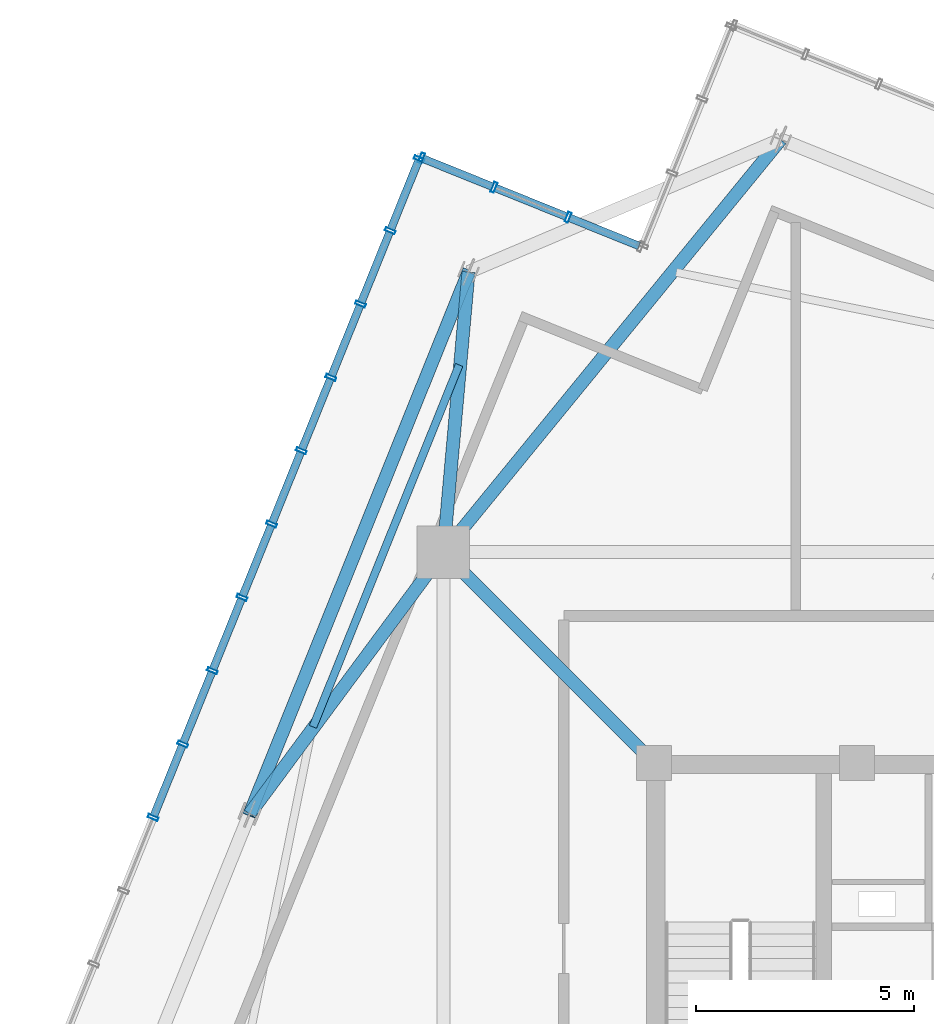
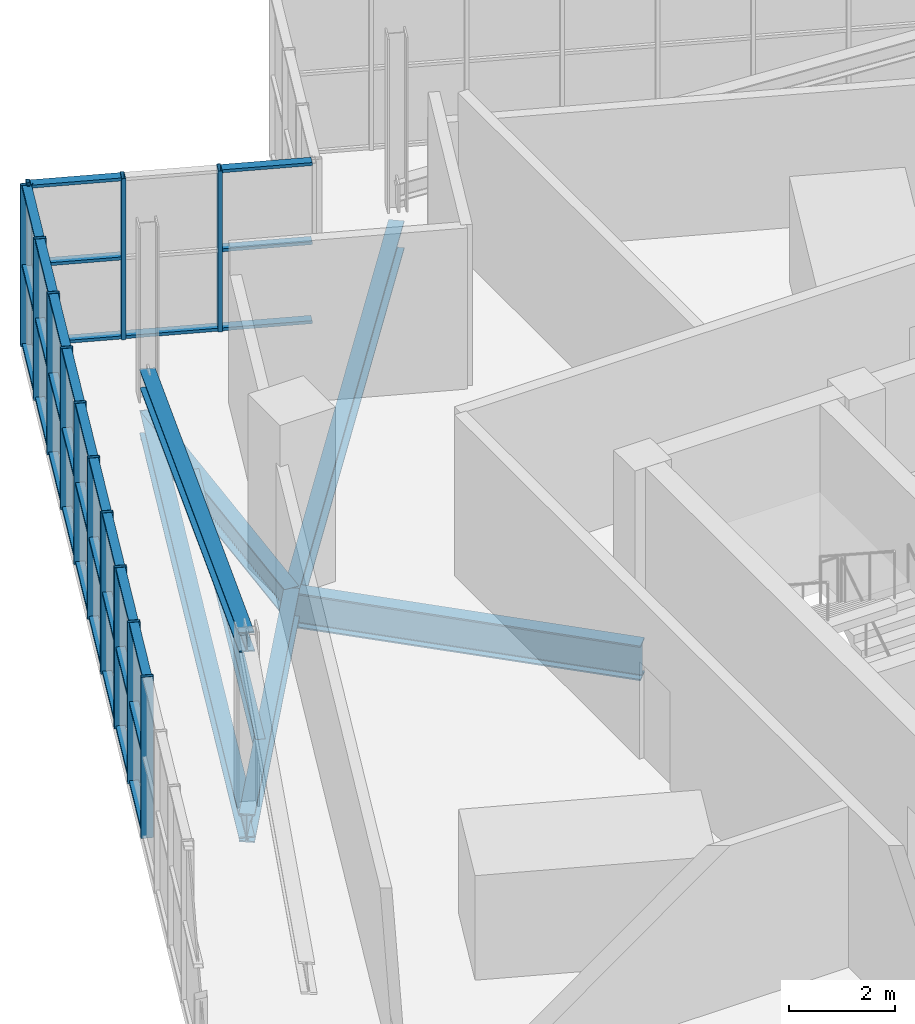
# One storey, part 12 of 26: 48 members, 6 beams, 2 elements without a shape of their own.
"""IFC4 building model written with IfcOpenShell, lengths in metres."""

from ifc_helpers import new_model, si_unit, direction, frame, origin, origin_2d, place, context, subcontext, project, spatial, hollow_rectangle, i_section, extrude, source, transform, mapped, material, layer, layer_set, material_profile, profile_set, type_object, element, aggregate, save


model = new_model("IFC4")

# Units and contexts
model_context = context("Model", 3, precision=1e-05, world=origin(), true_north=direction((0.0, 1.0)))
body_context = subcontext(model_context, "Body", "Model", "MODEL_VIEW")
ifc_project = project(units=[si_unit("LENGTHUNIT", "METRE"), si_unit("AREAUNIT", "SQUARE_METRE"), si_unit("VOLUMEUNIT", "CUBIC_METRE"), si_unit("PLANEANGLEUNIT", "RADIAN"), si_unit("MASSUNIT", "GRAM", prefix="KILO"), si_unit("THERMODYNAMICTEMPERATUREUNIT", "KELVIN")], contexts=[model_context])

# Site, building, storey
site_placement = place(None, origin())
site = spatial("IfcSite", under=ifc_project, at=site_placement, CompositionType="ELEMENT")
building_placement = place(site_placement, origin())
building = spatial("IfcBuilding", under=site, at=building_placement, Name="Kosmvard Interchange Tower", CompositionType="ELEMENT")
storey_placement = place(building_placement, frame((0.0, 0.0, 329.60009765625)))
storey = spatial("IfcBuildingStorey", under=building, at=storey_placement, Name="L81", CompositionType="ELEMENT", Elevation=329.60009765625)

# Beam
ifc_material_1 = material(Name="Steel S355", Category="steel")
ifc_material_profile_1 = material_profile(ifc_material_1, i_section(OverallWidth=0.300048828125, OverallDepth=0.800048828125, WebThickness=0.017578125, FlangeThickness=0.032958984375, FilletRadius=0.027099609375, at=origin_2d()), Name="HEB 800")
ifc_profile_set_1 = profile_set([ifc_material_profile_1], Name="Steel S355")
beam_type_1 = type_object("IfcBeamType", Name="Primary Mega-Frame Girder HEB 800 S355", PredefinedType="BEAM", material=ifc_profile_set_1)
shared_shape_1 = source(origin(), body_context, "Body", "SweptSolid", [
    extrude(i_section(OverallWidth=0.300048828125, OverallDepth=0.800048828125, WebThickness=0.017578125, FlangeThickness=0.032958984375, FilletRadius=0.027099609375, at=origin_2d()), origin(), (0.0, 0.0, 1.0), 6.83203125),
])
beam_1_placement = place(storey_placement, frame((-8.25, 8.25, -0.7001953125), z_axis=(-0.707106781187, 0.707106781187, 0.0), x_axis=(-0.707106781187, -0.707106781187, 0.0)))
element("IfcBeam", 1, at=beam_1_placement, inside=storey, type_object=beam_type_1, Name="L81 Radial Mega-Frame Girder 4", PredefinedType="BEAM", context=body_context, shape_type="MappedRepresentation", body=[
    mapped(shared_shape_1, transform((0.0, 0.0, 0.0), scale=1.0)),
])

# Member
ifc_material_profile_2 = material_profile(ifc_material_1, i_section(OverallWidth=0.300048828125, OverallDepth=0.39990234375, WebThickness=0.013427734375, FlangeThickness=0.02392578125, FilletRadius=0.027099609375, at=origin_2d()), Name="HEB 400")
ifc_profile_set_2 = profile_set([ifc_material_profile_2], Name="Steel S355")
member_type_1 = type_object("IfcMemberType", Name="Lantern Crown Diagrid Brace HEB 400 S355", PredefinedType="BRACE", material=ifc_profile_set_2)
shared_shape_2 = source(origin(), body_context, "Body", "SweptSolid", [
    extrude(i_section(OverallWidth=0.300048828125, OverallDepth=0.39990234375, WebThickness=0.013427734375, FlangeThickness=0.02392578125, FilletRadius=0.027099609375, at=origin_2d()), origin(), (0.0, 0.0, 1.0), 13.78369140625),
])
member_1_placement = place(storey_placement, frame((-12.504150390625, 19.50439453125, 0.419921875), z_axis=(-0.364162635972, -0.901373372792, 0.234332279859), x_axis=(0.927189515839, -0.374592580972, 0.0)))
element("IfcMember", 2, at=member_1_placement, inside=storey, type_object=member_type_1, Name="L81 Crown Lantern Diagrid Brace N1", PredefinedType="BRACE", context=body_context, shape_type="MappedRepresentation", body=[
    mapped(shared_shape_2, transform((0.0, 0.0, 0.0), scale=1.0)),
])

# Beams
ifc_material_profile_3 = material_profile(ifc_material_1, i_section(OverallWidth=0.300048828125, OverallDepth=0.550048828125, WebThickness=0.014892578125, FlangeThickness=0.029052734375, FilletRadius=0.027099609375, at=origin_2d()), Name="HEB 550")
ifc_profile_set_3 = profile_set([ifc_material_profile_3], Name="Steel S355")
beam_type_2 = type_object("IfcBeamType", Name="Crown Ring Cap Girder HEB 550 S355", PredefinedType="BEAM", material=ifc_profile_set_3)
shared_shape_3 = source(origin(), body_context, "Body", "SweptSolid", [
    extrude(i_section(OverallWidth=0.300048828125, OverallDepth=0.550048828125, WebThickness=0.014892578125, FlangeThickness=0.029052734375, FilletRadius=0.027099609375, at=origin_2d()), origin(), (0.0, 0.0, 1.0), 13.39990234375),
])
beam_2_placement = place(storey_placement, frame((-12.504150390625, 19.50439453125, -0.5751953125), z_axis=(-0.374592580972, -0.927189515839, 0.0), x_axis=(0.927189515839, -0.374592580972, 0.0)))
element("IfcBeam", 3, at=beam_2_placement, inside=storey, type_object=beam_type_2, Name="BM-L81-PR07", PredefinedType="BEAM", context=body_context, shape_type="MappedRepresentation", body=[
    mapped(shared_shape_3, transform((0.0, 0.0, 0.0), scale=1.0)),
])
ifc_material_profile_4 = material_profile(ifc_material_1, i_section(OverallWidth=0.300048828125, OverallDepth=0.64990234375, WebThickness=0.01611328125, FlangeThickness=0.031005859375, FilletRadius=0.027099609375, at=origin_2d()), Name="HEB 650")
ifc_profile_set_4 = profile_set([ifc_material_profile_4], Name="Steel S355")
beam_type_3 = type_object("IfcBeamType", Name="Primary Floor Girder HEB 650 S355", PredefinedType="BEAM", material=ifc_profile_set_4)
shared_shape_4 = source(origin(), body_context, "Body", "SweptSolid", [
    extrude(i_section(OverallWidth=0.300048828125, OverallDepth=0.64990234375, WebThickness=0.01611328125, FlangeThickness=0.031005859375, FilletRadius=0.027099609375, at=origin_2d()), origin(), (0.0, 0.0, 1.0), 6.44921875),
])
beam_3_placement = place(storey_placement, frame((-13.0810546875, 13.0810546875, -0.625), z_axis=(0.089453694068, 0.995990982197, 0.0), x_axis=(-0.995990982197, 0.089453694068, 0.0)))
element("IfcBeam", 4, at=beam_3_placement, inside=storey, type_object=beam_type_3, Name="BM-L81-RD07", PredefinedType="BEAM", context=body_context, shape_type="MappedRepresentation", body=[
    mapped(shared_shape_4, transform((0.0, 0.0, 0.0), scale=1.0)),
])
shared_shape_5 = source(origin(), body_context, "Body", "SweptSolid", [
    extrude(i_section(OverallWidth=0.300048828125, OverallDepth=0.64990234375, WebThickness=0.01611328125, FlangeThickness=0.031005859375, FilletRadius=0.027099609375, at=origin_2d()), origin(), (0.0, 0.0, 1.0), 7.466552734375),
])
beam_4_placement = place(storey_placement, frame((-13.0810546875, 13.0810546875, -0.625), z_axis=(-0.595007793491, -0.803719929879, 0.0), x_axis=(0.803719929879, -0.595007793491, 0.0)))
element("IfcBeam", 5, at=beam_4_placement, inside=storey, type_object=beam_type_3, Name="BM-L81-RD08", PredefinedType="BEAM", context=body_context, shape_type="MappedRepresentation", body=[
    mapped(shared_shape_5, transform((0.0, 0.0, 0.0), scale=1.0)),
])
shared_shape_6 = source(origin(), body_context, "Body", "SweptSolid", [
    extrude(i_section(OverallWidth=0.300048828125, OverallDepth=0.64990234375, WebThickness=0.01611328125, FlangeThickness=0.031005859375, FilletRadius=0.027099609375, at=origin_2d()), origin(), (0.0, 0.0, 1.0), 12.22265625),
])
beam_5_placement = place(storey_placement, frame((-13.0810546875, 13.0810546875, -0.625), z_axis=(0.632985408079, 0.774163725034, 0.0), x_axis=(-0.774163725034, 0.632985408079, 0.0)))
element("IfcBeam", 6, at=beam_5_placement, inside=storey, type_object=beam_type_3, Name="BM-L81-RD06", PredefinedType="BEAM", context=body_context, shape_type="MappedRepresentation", body=[
    mapped(shared_shape_6, transform((0.0, 0.0, 0.0), scale=1.0)),
])
ifc_material_profile_5 = material_profile(ifc_material_1, i_section(OverallWidth=0.179931640625, OverallDepth=0.39990234375, WebThickness=0.008544921875, FlangeThickness=0.013427734375, FilletRadius=0.02099609375, at=origin_2d()), Name="IPE 400")
ifc_profile_set_5 = profile_set([ifc_material_profile_5], Name="Steel S355")
beam_type_4 = type_object("IfcBeamType", Name="Upper-Zone Floor Joist IPE 400 S355", PredefinedType="JOIST", material=ifc_profile_set_5)
shared_shape_7 = source(origin(), body_context, "Body", "SweptSolid", [
    extrude(i_section(OverallWidth=0.179931640625, OverallDepth=0.39990234375, WebThickness=0.008544921875, FlangeThickness=0.013427734375, FilletRadius=0.02099609375, at=origin_2d()), origin(), (0.0, 0.0, 1.0), 8.9521484375),
])
beam_6_placement = place(storey_placement, frame((-12.71875, 17.374755859375, -0.5), z_axis=(-0.374581187736, -0.927194118723, 0.0), x_axis=(0.927194118723, -0.374581187736, 0.0)))
element("IfcBeam", 7, at=beam_6_placement, inside=storey, type_object=beam_type_4, Name="BM-L81-FJ05", PredefinedType="JOIST", context=body_context, shape_type="MappedRepresentation", body=[
    mapped(shared_shape_7, transform((0.0, 0.0, 0.0), scale=1.0)),
])

# Curtain wall, members
ifc_material_2 = material(Name="Architectural anodised aluminium", Category="aluminium")
ifc_layer = layer(ifc_material_2, 0.25, Name="Architectural anodised aluminium")
ifc_layer_set = layer_set([ifc_layer], Name="Architectural anodised aluminium")
curtain_wall_type = type_object("IfcCurtainWallType", Name="CW-6 Illuminated Crown Lantern Curtain Wall", PredefinedType="NOTDEFINED", material=ifc_layer_set)
curtain_wall_1_placement = place(storey_placement, origin())
curtain_wall_1 = element("IfcCurtainWall", 8, at=curtain_wall_1_placement, inside=storey, type_object=curtain_wall_type, Name="L81 Crown Lantern Glazing Face 06", PredefinedType="NOTDEFINED")
ifc_material_profile_6 = material_profile(ifc_material_2, hollow_rectangle(XDim=0.239990234375, YDim=0.080078125, WallThickness=0.006103515625, at=origin_2d()), Name="CWM 240x80x6")
ifc_profile_set_6 = profile_set([ifc_material_profile_6], Name="Architectural anodised aluminium")
member_type_2 = type_object("IfcMemberType", Name="Lantern & Observation CW Mullion 240x80 Aluminium", PredefinedType="MULLION", material=ifc_profile_set_6)
shared_shape_8 = source(origin(), body_context, "Body", "SweptSolid", [
    extrude(hollow_rectangle(XDim=0.239990234375, YDim=0.080078125, WallThickness=0.006103515625, at=origin_2d()), origin(), (0.0, 0.0, 1.0), 3.699951171875),
])
member_2_placement = place(storey_placement, frame((-10.220458984375, 20.760498046875, 0.0), z_axis=(0.0, 0.0, 1.0), x_axis=(-0.374606501678, -0.927183891631, 0.0)))
member_2 = element("IfcMember", 9, at=member_2_placement, type_object=member_type_2, Name="CW-6 mullion 2", PredefinedType="MULLION", context=body_context, shape_type="MappedRepresentation", body=[
    mapped(shared_shape_8, transform((0.0, 0.0, 0.0), scale=1.0)),
])
member_3_placement = place(storey_placement, frame((-11.92041015625, 21.447265625, 0.0), z_axis=(0.0, 0.0, 1.0), x_axis=(-0.374606501678, -0.927183891631, 0.0)))
member_3 = element("IfcMember", 10, at=member_3_placement, type_object=member_type_2, Name="CW-6 mullion 3", PredefinedType="MULLION", context=body_context, shape_type="MappedRepresentation", body=[
    mapped(shared_shape_8, transform((0.0, 0.0, 0.0), scale=1.0)),
])
member_4_placement = place(storey_placement, frame((-13.583251953125, 22.118896484375, 0.0), z_axis=(0.0, 0.0, 1.0), x_axis=(-0.374606501678, -0.927183891631, 0.0)))
member_4 = element("IfcMember", 11, at=member_4_placement, type_object=member_type_2, Name="CW-6 mullion 4", PredefinedType="MULLION", context=body_context, shape_type="MappedRepresentation", body=[
    mapped(shared_shape_8, transform((0.0, 0.0, 0.0), scale=1.0)),
])

curtain_wall_2_placement = place(storey_placement, origin())
curtain_wall_2 = element("IfcCurtainWall", 12, at=curtain_wall_2_placement, inside=storey, type_object=curtain_wall_type, Name="L81 Crown Lantern Glazing Face 07", PredefinedType="NOTDEFINED")
member_5_placement = place(storey_placement, frame((-13.63525390625, 22.096923828125, 0.0), z_axis=(0.0, 0.0, 1.0), x_axis=(0.927183858065, -0.374606584758, 0.0)))
member_5 = element("IfcMember", 13, at=member_5_placement, type_object=member_type_2, Name="CW-6 mullion 1", PredefinedType="MULLION", context=body_context, shape_type="MappedRepresentation", body=[
    mapped(shared_shape_8, transform((0.0, 0.0, 0.0), scale=1.0)),
])
member_6_placement = place(storey_placement, frame((-14.2998046875, 20.451904296875, 0.0), z_axis=(0.0, 0.0, 1.0), x_axis=(0.927183858065, -0.374606584758, 0.0)))
member_6 = element("IfcMember", 14, at=member_6_placement, type_object=member_type_2, Name="CW-6 mullion 2", PredefinedType="MULLION", context=body_context, shape_type="MappedRepresentation", body=[
    mapped(shared_shape_8, transform((0.0, 0.0, 0.0), scale=1.0)),
])
member_7_placement = place(storey_placement, frame((-14.9794921875, 18.77001953125, 0.0), z_axis=(0.0, 0.0, 1.0), x_axis=(0.927183858065, -0.374606584758, 0.0)))
member_7 = element("IfcMember", 15, at=member_7_placement, type_object=member_type_2, Name="CW-6 mullion 3", PredefinedType="MULLION", context=body_context, shape_type="MappedRepresentation", body=[
    mapped(shared_shape_8, transform((0.0, 0.0, 0.0), scale=1.0)),
])
member_8_placement = place(storey_placement, frame((-15.658935546875, 17.087890625, 0.0), z_axis=(0.0, 0.0, 1.0), x_axis=(0.927183858065, -0.374606584758, 0.0)))
member_8 = element("IfcMember", 16, at=member_8_placement, type_object=member_type_2, Name="CW-6 mullion 4", PredefinedType="MULLION", context=body_context, shape_type="MappedRepresentation", body=[
    mapped(shared_shape_8, transform((0.0, 0.0, 0.0), scale=1.0)),
])
member_9_placement = place(storey_placement, frame((-16.338623046875, 15.40576171875, 0.0), z_axis=(0.0, 0.0, 1.0), x_axis=(0.927183858065, -0.374606584758, 0.0)))
member_9 = element("IfcMember", 17, at=member_9_placement, type_object=member_type_2, Name="CW-6 mullion 5", PredefinedType="MULLION", context=body_context, shape_type="MappedRepresentation", body=[
    mapped(shared_shape_8, transform((0.0, 0.0, 0.0), scale=1.0)),
])
member_10_placement = place(storey_placement, frame((-17.01806640625, 13.723876953125, 0.0), z_axis=(0.0, 0.0, 1.0), x_axis=(0.927183858065, -0.374606584758, 0.0)))
member_10 = element("IfcMember", 18, at=member_10_placement, type_object=member_type_2, Name="CW-6 mullion 6", PredefinedType="MULLION", context=body_context, shape_type="MappedRepresentation", body=[
    mapped(shared_shape_8, transform((0.0, 0.0, 0.0), scale=1.0)),
])
member_11_placement = place(storey_placement, frame((-17.69775390625, 12.041748046875, 0.0), z_axis=(0.0, 0.0, 1.0), x_axis=(0.927183858065, -0.374606584758, 0.0)))
member_11 = element("IfcMember", 19, at=member_11_placement, type_object=member_type_2, Name="CW-6 mullion 7", PredefinedType="MULLION", context=body_context, shape_type="MappedRepresentation", body=[
    mapped(shared_shape_8, transform((0.0, 0.0, 0.0), scale=1.0)),
])
member_12_placement = place(storey_placement, frame((-18.377197265625, 10.35986328125, 0.0), z_axis=(0.0, 0.0, 1.0), x_axis=(0.927183858065, -0.374606584758, 0.0)))
member_12 = element("IfcMember", 20, at=member_12_placement, type_object=member_type_2, Name="CW-6 mullion 8", PredefinedType="MULLION", context=body_context, shape_type="MappedRepresentation", body=[
    mapped(shared_shape_8, transform((0.0, 0.0, 0.0), scale=1.0)),
])
member_13_placement = place(storey_placement, frame((-19.056884765625, 8.677734375, 0.0), z_axis=(0.0, 0.0, 1.0), x_axis=(0.927183858065, -0.374606584758, 0.0)))
member_13 = element("IfcMember", 21, at=member_13_placement, type_object=member_type_2, Name="CW-6 mullion 9", PredefinedType="MULLION", context=body_context, shape_type="MappedRepresentation", body=[
    mapped(shared_shape_8, transform((0.0, 0.0, 0.0), scale=1.0)),
])
member_14_placement = place(storey_placement, frame((-19.736572265625, 6.995849609375, 0.0), z_axis=(0.0, 0.0, 1.0), x_axis=(0.927183858065, -0.374606584758, 0.0)))
member_14 = element("IfcMember", 22, at=member_14_placement, type_object=member_type_2, Name="CW-6 mullion 10", PredefinedType="MULLION", context=body_context, shape_type="MappedRepresentation", body=[
    mapped(shared_shape_8, transform((0.0, 0.0, 0.0), scale=1.0)),
])
ifc_material_profile_7 = material_profile(ifc_material_2, hollow_rectangle(XDim=0.179931640625, YDim=0.070068359375, WallThickness=0.0048828125, at=origin_2d()), Name="CWT 180x70x5")
ifc_profile_set_7 = profile_set([ifc_material_profile_7], Name="Architectural anodised aluminium")
member_type_3 = type_object("IfcMemberType", Name="Heavy Lantern CW Transom 180x70 Aluminium", PredefinedType="USERDEFINED", material=ifc_profile_set_7)
shared_shape_9 = source(origin(), body_context, "Body", "SweptSolid", [
    extrude(hollow_rectangle(XDim=0.179931640625, YDim=0.070068359375, WallThickness=0.0048828125, at=origin_2d()), origin(), (0.0, 0.0, 1.0), 1.694091796875),
])
member_15_placement = place(storey_placement, frame((-13.650146484375, 22.059814453125, 0.034912109375), z_axis=(-0.374667946298, -0.927159064032, 0.0), x_axis=(0.927159064032, -0.374667946298, 0.0)))
member_15 = element("IfcMember", 23, at=member_15_placement, type_object=member_type_3, Name="CW-6 transom 1.1", ObjectType="TRANSOM", PredefinedType="USERDEFINED", context=body_context, shape_type="MappedRepresentation", body=[
    mapped(shared_shape_9, transform((0.0, 0.0, 0.0), scale=1.0)),
])
member_16_placement = place(storey_placement, frame((-13.650146484375, 22.059814453125, 1.849853515625), z_axis=(-0.374667946298, -0.927159064032, 0.0), x_axis=(0.927159064032, -0.374667946298, 0.0)))
member_16 = element("IfcMember", 24, at=member_16_placement, type_object=member_type_3, Name="CW-6 transom 1.2", ObjectType="TRANSOM", PredefinedType="USERDEFINED", context=body_context, shape_type="MappedRepresentation", body=[
    mapped(shared_shape_9, transform((0.0, 0.0, 0.0), scale=1.0)),
])
member_17_placement = place(storey_placement, frame((-13.650146484375, 22.059814453125, 3.664794921875), z_axis=(-0.374667946298, -0.927159064032, 0.0), x_axis=(0.927159064032, -0.374667946298, 0.0)))
member_17 = element("IfcMember", 25, at=member_17_placement, type_object=member_type_3, Name="CW-6 transom 1.3", ObjectType="TRANSOM", PredefinedType="USERDEFINED", context=body_context, shape_type="MappedRepresentation", body=[
    mapped(shared_shape_9, transform((0.0, 0.0, 0.0), scale=1.0)),
])
shared_shape_10 = source(origin(), body_context, "Body", "SweptSolid", [
    extrude(hollow_rectangle(XDim=0.179931640625, YDim=0.070068359375, WallThickness=0.0048828125, at=origin_2d()), origin(), (0.0, 0.0, 1.0), 1.734130859375),
])
member_18_placement = place(storey_placement, frame((-14.314697265625, 20.414794921875, 0.034912109375), z_axis=(-0.374616671924, -0.927179782522, 0.0), x_axis=(0.927179782522, -0.374616671924, 0.0)))
member_18 = element("IfcMember", 26, at=member_18_placement, type_object=member_type_3, Name="CW-6 transom 2.1", ObjectType="TRANSOM", PredefinedType="USERDEFINED", context=body_context, shape_type="MappedRepresentation", body=[
    mapped(shared_shape_10, transform((0.0, 0.0, 0.0), scale=1.0)),
])
member_19_placement = place(storey_placement, frame((-14.314697265625, 20.414794921875, 1.849853515625), z_axis=(-0.374616671924, -0.927179782522, 0.0), x_axis=(0.927179782522, -0.374616671924, 0.0)))
member_19 = element("IfcMember", 27, at=member_19_placement, type_object=member_type_3, Name="CW-6 transom 2.2", ObjectType="TRANSOM", PredefinedType="USERDEFINED", context=body_context, shape_type="MappedRepresentation", body=[
    mapped(shared_shape_10, transform((0.0, 0.0, 0.0), scale=1.0)),
])
member_20_placement = place(storey_placement, frame((-14.314697265625, 20.414794921875, 3.664794921875), z_axis=(-0.374616671924, -0.927179782522, 0.0), x_axis=(0.927179782522, -0.374616671924, 0.0)))
member_20 = element("IfcMember", 28, at=member_20_placement, type_object=member_type_3, Name="CW-6 transom 2.3", ObjectType="TRANSOM", PredefinedType="USERDEFINED", context=body_context, shape_type="MappedRepresentation", body=[
    mapped(shared_shape_10, transform((0.0, 0.0, 0.0), scale=1.0)),
])
member_21_placement = place(storey_placement, frame((-14.994384765625, 18.73291015625, 0.034912109375), z_axis=(-0.374616671924, -0.927179782522, 0.0), x_axis=(0.927179782522, -0.374616671924, 0.0)))
member_21 = element("IfcMember", 29, at=member_21_placement, type_object=member_type_3, Name="CW-6 transom 3.1", ObjectType="TRANSOM", PredefinedType="USERDEFINED", context=body_context, shape_type="MappedRepresentation", body=[
    mapped(shared_shape_10, transform((0.0, 0.0, 0.0), scale=1.0)),
])
member_22_placement = place(storey_placement, frame((-14.994384765625, 18.73291015625, 1.849853515625), z_axis=(-0.374616671924, -0.927179782522, 0.0), x_axis=(0.927179782522, -0.374616671924, 0.0)))
member_22 = element("IfcMember", 30, at=member_22_placement, type_object=member_type_3, Name="CW-6 transom 3.2", ObjectType="TRANSOM", PredefinedType="USERDEFINED", context=body_context, shape_type="MappedRepresentation", body=[
    mapped(shared_shape_10, transform((0.0, 0.0, 0.0), scale=1.0)),
])
member_23_placement = place(storey_placement, frame((-14.994384765625, 18.73291015625, 3.664794921875), z_axis=(-0.374616671924, -0.927179782522, 0.0), x_axis=(0.927179782522, -0.374616671924, 0.0)))
member_23 = element("IfcMember", 31, at=member_23_placement, type_object=member_type_3, Name="CW-6 transom 3.3", ObjectType="TRANSOM", PredefinedType="USERDEFINED", context=body_context, shape_type="MappedRepresentation", body=[
    mapped(shared_shape_10, transform((0.0, 0.0, 0.0), scale=1.0)),
])
member_24_placement = place(storey_placement, frame((-15.674072265625, 17.05078125, 0.034912109375), z_axis=(-0.374495638732, -0.927228675447, 0.0), x_axis=(0.927228675447, -0.374495638732, 0.0)))
member_24 = element("IfcMember", 32, at=member_24_placement, type_object=member_type_3, Name="CW-6 transom 4.1", ObjectType="TRANSOM", PredefinedType="USERDEFINED", context=body_context, shape_type="MappedRepresentation", body=[
    mapped(shared_shape_10, transform((0.0, 0.0, 0.0), scale=1.0)),
])
member_25_placement = place(storey_placement, frame((-15.674072265625, 17.05078125, 1.849853515625), z_axis=(-0.374495638732, -0.927228675447, 0.0), x_axis=(0.927228675447, -0.374495638732, 0.0)))
member_25 = element("IfcMember", 33, at=member_25_placement, type_object=member_type_3, Name="CW-6 transom 4.2", ObjectType="TRANSOM", PredefinedType="USERDEFINED", context=body_context, shape_type="MappedRepresentation", body=[
    mapped(shared_shape_10, transform((0.0, 0.0, 0.0), scale=1.0)),
])
member_26_placement = place(storey_placement, frame((-15.674072265625, 17.05078125, 3.664794921875), z_axis=(-0.374495638732, -0.927228675447, 0.0), x_axis=(0.927228675447, -0.374495638732, 0.0)))
member_26 = element("IfcMember", 34, at=member_26_placement, type_object=member_type_3, Name="CW-6 transom 4.3", ObjectType="TRANSOM", PredefinedType="USERDEFINED", context=body_context, shape_type="MappedRepresentation", body=[
    mapped(shared_shape_10, transform((0.0, 0.0, 0.0), scale=1.0)),
])
member_27_placement = place(storey_placement, frame((-16.353515625, 15.368896484375, 0.034912109375), z_axis=(-0.374616671924, -0.927179782522, 0.0), x_axis=(0.927179782522, -0.374616671924, 0.0)))
member_27 = element("IfcMember", 35, at=member_27_placement, type_object=member_type_3, Name="CW-6 transom 5.1", ObjectType="TRANSOM", PredefinedType="USERDEFINED", context=body_context, shape_type="MappedRepresentation", body=[
    mapped(shared_shape_10, transform((0.0, 0.0, 0.0), scale=1.0)),
])
member_28_placement = place(storey_placement, frame((-16.353515625, 15.368896484375, 1.849853515625), z_axis=(-0.374616671924, -0.927179782522, 0.0), x_axis=(0.927179782522, -0.374616671924, 0.0)))
member_28 = element("IfcMember", 36, at=member_28_placement, type_object=member_type_3, Name="CW-6 transom 5.2", ObjectType="TRANSOM", PredefinedType="USERDEFINED", context=body_context, shape_type="MappedRepresentation", body=[
    mapped(shared_shape_10, transform((0.0, 0.0, 0.0), scale=1.0)),
])
member_29_placement = place(storey_placement, frame((-16.353515625, 15.368896484375, 3.664794921875), z_axis=(-0.374616671924, -0.927179782522, 0.0), x_axis=(0.927179782522, -0.374616671924, 0.0)))
member_29 = element("IfcMember", 37, at=member_29_placement, type_object=member_type_3, Name="CW-6 transom 5.3", ObjectType="TRANSOM", PredefinedType="USERDEFINED", context=body_context, shape_type="MappedRepresentation", body=[
    mapped(shared_shape_10, transform((0.0, 0.0, 0.0), scale=1.0)),
])
member_30_placement = place(storey_placement, frame((-17.033203125, 13.686767578125, 0.034912109375), z_axis=(-0.374616671924, -0.927179782522, 0.0), x_axis=(0.927179782522, -0.374616671924, 0.0)))
member_30 = element("IfcMember", 38, at=member_30_placement, type_object=member_type_3, Name="CW-6 transom 6.1", ObjectType="TRANSOM", PredefinedType="USERDEFINED", context=body_context, shape_type="MappedRepresentation", body=[
    mapped(shared_shape_10, transform((0.0, 0.0, 0.0), scale=1.0)),
])
member_31_placement = place(storey_placement, frame((-17.033203125, 13.686767578125, 1.849853515625), z_axis=(-0.374616671924, -0.927179782522, 0.0), x_axis=(0.927179782522, -0.374616671924, 0.0)))
member_31 = element("IfcMember", 39, at=member_31_placement, type_object=member_type_3, Name="CW-6 transom 6.2", ObjectType="TRANSOM", PredefinedType="USERDEFINED", context=body_context, shape_type="MappedRepresentation", body=[
    mapped(shared_shape_10, transform((0.0, 0.0, 0.0), scale=1.0)),
])
member_32_placement = place(storey_placement, frame((-17.033203125, 13.686767578125, 3.664794921875), z_axis=(-0.374616671924, -0.927179782522, 0.0), x_axis=(0.927179782522, -0.374616671924, 0.0)))
member_32 = element("IfcMember", 40, at=member_32_placement, type_object=member_type_3, Name="CW-6 transom 6.3", ObjectType="TRANSOM", PredefinedType="USERDEFINED", context=body_context, shape_type="MappedRepresentation", body=[
    mapped(shared_shape_10, transform((0.0, 0.0, 0.0), scale=1.0)),
])
member_33_placement = place(storey_placement, frame((-18.392333984375, 10.32275390625, 0.034912109375), z_axis=(-0.374616671924, -0.927179782522, 0.0), x_axis=(0.927179782522, -0.374616671924, 0.0)))
member_33 = element("IfcMember", 41, at=member_33_placement, type_object=member_type_3, Name="CW-6 transom 8.1", ObjectType="TRANSOM", PredefinedType="USERDEFINED", context=body_context, shape_type="MappedRepresentation", body=[
    mapped(shared_shape_10, transform((0.0, 0.0, 0.0), scale=1.0)),
])
member_34_placement = place(storey_placement, frame((-18.392333984375, 10.32275390625, 1.849853515625), z_axis=(-0.374616671924, -0.927179782522, 0.0), x_axis=(0.927179782522, -0.374616671924, 0.0)))
member_34 = element("IfcMember", 42, at=member_34_placement, type_object=member_type_3, Name="CW-6 transom 8.2", ObjectType="TRANSOM", PredefinedType="USERDEFINED", context=body_context, shape_type="MappedRepresentation", body=[
    mapped(shared_shape_10, transform((0.0, 0.0, 0.0), scale=1.0)),
])
member_35_placement = place(storey_placement, frame((-18.392333984375, 10.32275390625, 3.664794921875), z_axis=(-0.374616671924, -0.927179782522, 0.0), x_axis=(0.927179782522, -0.374616671924, 0.0)))
member_35 = element("IfcMember", 43, at=member_35_placement, type_object=member_type_3, Name="CW-6 transom 8.3", ObjectType="TRANSOM", PredefinedType="USERDEFINED", context=body_context, shape_type="MappedRepresentation", body=[
    mapped(shared_shape_10, transform((0.0, 0.0, 0.0), scale=1.0)),
])
shared_shape_11 = source(origin(), body_context, "Body", "SweptSolid", [
    extrude(hollow_rectangle(XDim=0.179931640625, YDim=0.070068359375, WallThickness=0.0048828125, at=origin_2d()), origin(), (0.0, 0.0, 1.0), 1.73388671875),
])
member_36_placement = place(storey_placement, frame((-17.712646484375, 12.004638671875, 0.034912109375), z_axis=(-0.374665576032, -0.927160021861, 0.0), x_axis=(0.927160021861, -0.374665576032, 0.0)))
member_36 = element("IfcMember", 44, at=member_36_placement, type_object=member_type_3, Name="CW-6 transom 7.1", ObjectType="TRANSOM", PredefinedType="USERDEFINED", context=body_context, shape_type="MappedRepresentation", body=[
    mapped(shared_shape_11, transform((0.0, 0.0, 0.0), scale=1.0)),
])
member_37_placement = place(storey_placement, frame((-17.712646484375, 12.004638671875, 1.849853515625), z_axis=(-0.374665576032, -0.927160021861, 0.0), x_axis=(0.927160021861, -0.374665576032, 0.0)))
member_37 = element("IfcMember", 45, at=member_37_placement, type_object=member_type_3, Name="CW-6 transom 7.2", ObjectType="TRANSOM", PredefinedType="USERDEFINED", context=body_context, shape_type="MappedRepresentation", body=[
    mapped(shared_shape_11, transform((0.0, 0.0, 0.0), scale=1.0)),
])
member_38_placement = place(storey_placement, frame((-17.712646484375, 12.004638671875, 3.664794921875), z_axis=(-0.374665576032, -0.927160021861, 0.0), x_axis=(0.927160021861, -0.374665576032, 0.0)))
member_38 = element("IfcMember", 46, at=member_38_placement, type_object=member_type_3, Name="CW-6 transom 7.3", ObjectType="TRANSOM", PredefinedType="USERDEFINED", context=body_context, shape_type="MappedRepresentation", body=[
    mapped(shared_shape_11, transform((0.0, 0.0, 0.0), scale=1.0)),
])
member_39_placement = place(storey_placement, frame((-19.07177734375, 8.640625, 0.034912109375), z_axis=(-0.374665576032, -0.927160021861, 0.0), x_axis=(0.927160021861, -0.374665576032, 0.0)))
member_39 = element("IfcMember", 47, at=member_39_placement, type_object=member_type_3, Name="CW-6 transom 9.1", ObjectType="TRANSOM", PredefinedType="USERDEFINED", context=body_context, shape_type="MappedRepresentation", body=[
    mapped(shared_shape_11, transform((0.0, 0.0, 0.0), scale=1.0)),
])
member_40_placement = place(storey_placement, frame((-19.07177734375, 8.640625, 1.849853515625), z_axis=(-0.374665576032, -0.927160021861, 0.0), x_axis=(0.927160021861, -0.374665576032, 0.0)))
member_40 = element("IfcMember", 48, at=member_40_placement, type_object=member_type_3, Name="CW-6 transom 9.2", ObjectType="TRANSOM", PredefinedType="USERDEFINED", context=body_context, shape_type="MappedRepresentation", body=[
    mapped(shared_shape_11, transform((0.0, 0.0, 0.0), scale=1.0)),
])
member_41_placement = place(storey_placement, frame((-19.07177734375, 8.640625, 3.664794921875), z_axis=(-0.374665576032, -0.927160021861, 0.0), x_axis=(0.927160021861, -0.374665576032, 0.0)))
member_41 = element("IfcMember", 49, at=member_41_placement, type_object=member_type_3, Name="CW-6 transom 9.3", ObjectType="TRANSOM", PredefinedType="USERDEFINED", context=body_context, shape_type="MappedRepresentation", body=[
    mapped(shared_shape_11, transform((0.0, 0.0, 0.0), scale=1.0)),
])
aggregate(curtain_wall_2, [member_5, member_6, member_7, member_8, member_9, member_10, member_11, member_12, member_13, member_14, member_15, member_16, member_17, member_18, member_19, member_20, member_21, member_22, member_23, member_24, member_25, member_26, member_27, member_28, member_29, member_30, member_31, member_32, member_36, member_37, member_38, member_33, member_34, member_35, member_39, member_40, member_41])

# Member
shared_shape_12 = source(origin(), body_context, "Body", "SweptSolid", [
    extrude(hollow_rectangle(XDim=0.179931640625, YDim=0.070068359375, WallThickness=0.0048828125, at=origin_2d()), origin(), (0.0, 0.0, 1.0), 1.71337890625),
])
member_42_placement = place(storey_placement, frame((-8.594970703125, 20.103515625, 0.034912109375), z_axis=(-0.927183787829, 0.374606758599, 0.0), x_axis=(-0.374606758599, -0.927183787829, 0.0)))
member_42 = element("IfcMember", 50, at=member_42_placement, type_object=member_type_3, Name="CW-6 transom 1.1", ObjectType="TRANSOM", PredefinedType="USERDEFINED", context=body_context, shape_type="MappedRepresentation", body=[
    mapped(shared_shape_12, transform((0.0, 0.0, 0.0), scale=1.0)),
])

member_43_placement = place(storey_placement, frame((-8.594970703125, 20.103515625, 1.849853515625), z_axis=(-0.927183787829, 0.374606758599, 0.0), x_axis=(-0.374606758599, -0.927183787829, 0.0)))
member_43 = element("IfcMember", 51, at=member_43_placement, type_object=member_type_3, Name="CW-6 transom 1.2", ObjectType="TRANSOM", PredefinedType="USERDEFINED", context=body_context, shape_type="MappedRepresentation", body=[
    mapped(shared_shape_12, transform((0.0, 0.0, 0.0), scale=1.0)),
])

member_44_placement = place(storey_placement, frame((-8.594970703125, 20.103515625, 3.664794921875), z_axis=(-0.927183787829, 0.374606758599, 0.0), x_axis=(-0.374606758599, -0.927183787829, 0.0)))
member_44 = element("IfcMember", 52, at=member_44_placement, type_object=member_type_3, Name="CW-6 transom 1.3", ObjectType="TRANSOM", PredefinedType="USERDEFINED", context=body_context, shape_type="MappedRepresentation", body=[
    mapped(shared_shape_12, transform((0.0, 0.0, 0.0), scale=1.0)),
])

member_45_placement = place(storey_placement, frame((-11.95751953125, 21.462158203125, 0.034912109375), z_axis=(-0.927183787829, 0.374606758599, 0.0), x_axis=(-0.374606758599, -0.927183787829, 0.0)))
member_45 = element("IfcMember", 53, at=member_45_placement, type_object=member_type_3, Name="CW-6 transom 3.1", ObjectType="TRANSOM", PredefinedType="USERDEFINED", context=body_context, shape_type="MappedRepresentation", body=[
    mapped(shared_shape_12, transform((0.0, 0.0, 0.0), scale=1.0)),
])

member_46_placement = place(storey_placement, frame((-11.95751953125, 21.462158203125, 1.849853515625), z_axis=(-0.927183787829, 0.374606758599, 0.0), x_axis=(-0.374606758599, -0.927183787829, 0.0)))
member_46 = element("IfcMember", 54, at=member_46_placement, type_object=member_type_3, Name="CW-6 transom 3.2", ObjectType="TRANSOM", PredefinedType="USERDEFINED", context=body_context, shape_type="MappedRepresentation", body=[
    mapped(shared_shape_12, transform((0.0, 0.0, 0.0), scale=1.0)),
])

member_47_placement = place(storey_placement, frame((-11.95751953125, 21.462158203125, 3.664794921875), z_axis=(-0.927183787829, 0.374606758599, 0.0), x_axis=(-0.374606758599, -0.927183787829, 0.0)))
member_47 = element("IfcMember", 55, at=member_47_placement, type_object=member_type_3, Name="CW-6 transom 3.3", ObjectType="TRANSOM", PredefinedType="USERDEFINED", context=body_context, shape_type="MappedRepresentation", body=[
    mapped(shared_shape_12, transform((0.0, 0.0, 0.0), scale=1.0)),
])

shared_shape_13 = source(origin(), body_context, "Body", "SweptSolid", [
    extrude(hollow_rectangle(XDim=0.179931640625, YDim=0.070068359375, WallThickness=0.0048828125, at=origin_2d()), origin(), (0.0, 0.0, 1.0), 1.75341796875),
])
member_48_placement = place(storey_placement, frame((-10.257568359375, 20.775390625, 0.034912109375), z_axis=(-0.927203712676, 0.37455743912, 0.0), x_axis=(-0.37455743912, -0.927203712676, 0.0)))
member_48 = element("IfcMember", 56, at=member_48_placement, type_object=member_type_3, Name="CW-6 transom 2.1", ObjectType="TRANSOM", PredefinedType="USERDEFINED", context=body_context, shape_type="MappedRepresentation", body=[
    mapped(shared_shape_13, transform((0.0, 0.0, 0.0), scale=1.0)),
])

aggregate(curtain_wall_1, [member_2, member_3, member_4, member_42, member_43, member_44, member_48, member_45, member_46, member_47])

save(model, "model.ifc")
